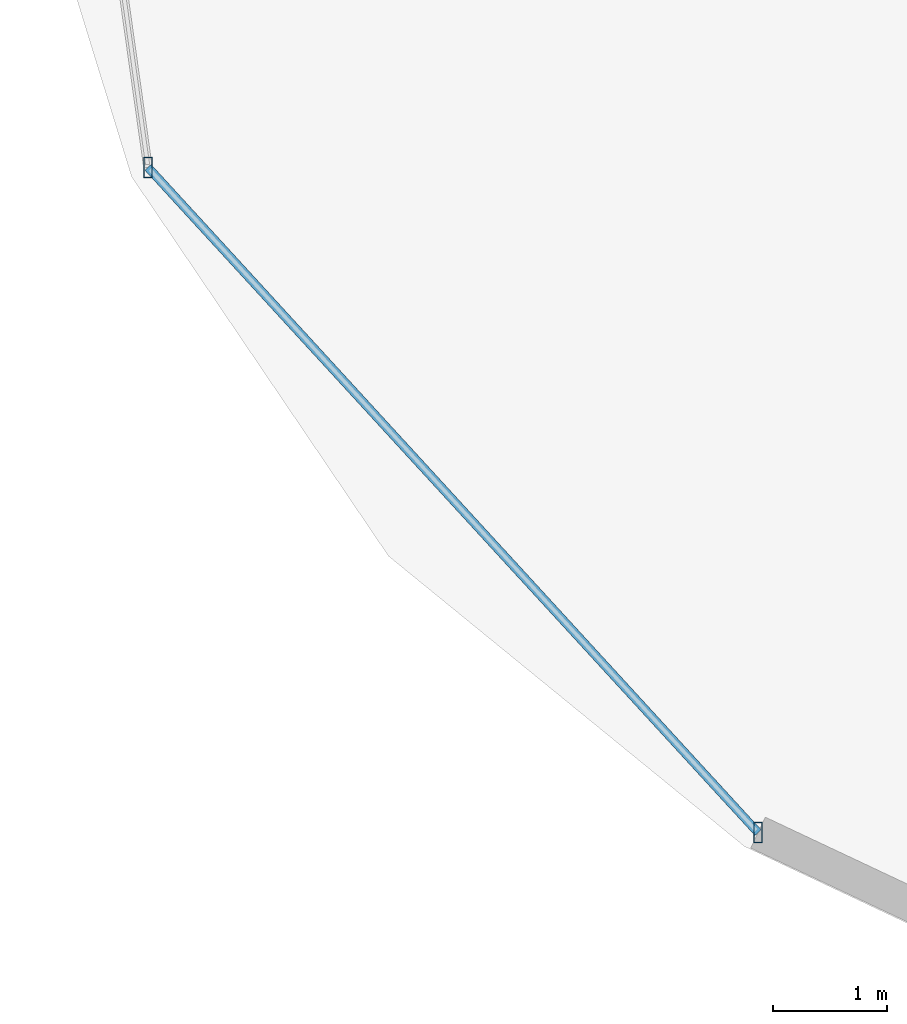
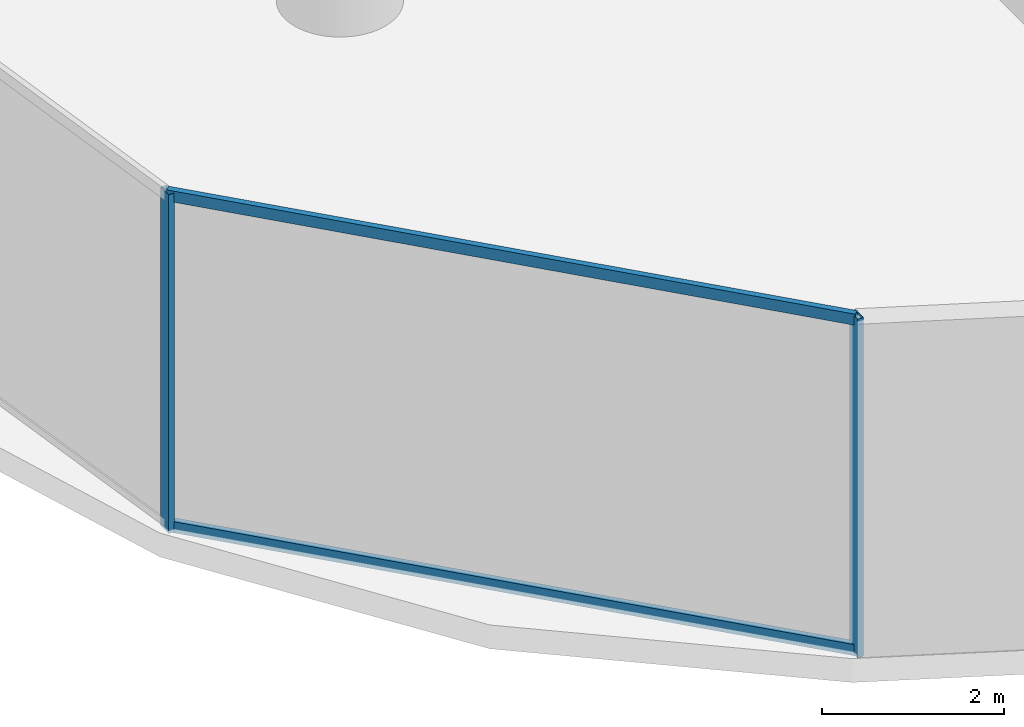
# One storey, part 2 of 26: 4 members, 1 element without a shape of its own.
"""IFC4 building model written with IfcOpenShell, lengths in metres."""

from ifc_helpers import new_model, si_unit, direction, frame, origin, origin_2d, place, context, subcontext, project, spatial, hollow_rectangle, extrude, material, material_profile, profile_set, type_object, element, aggregate, save


model = new_model("IFC4")

# Units and contexts
model_context = context("Model", 3, precision=1e-05, world=origin(), true_north=direction((0.0, 1.0)))
body_context = subcontext(model_context, "Body", "Model", "MODEL_VIEW")
ifc_project = project(units=[si_unit("LENGTHUNIT", "METRE"), si_unit("AREAUNIT", "SQUARE_METRE"), si_unit("VOLUMEUNIT", "CUBIC_METRE"), si_unit("PLANEANGLEUNIT", "RADIAN"), si_unit("MASSUNIT", "GRAM", prefix="KILO")], contexts=[model_context])

# Site, building, storey
site_placement = place(None, origin())
site = spatial("IfcSite", under=ifc_project, at=site_placement, CompositionType="ELEMENT")
building_placement = place(site_placement, origin())
building = spatial("IfcBuilding", under=site, at=building_placement, Name="Vorneva Point Tower", CompositionType="ELEMENT")
storey_placement = place(building_placement, frame((0.0, 0.0, 14.39990234375)))
storey = spatial("IfcBuildingStorey", under=building, at=storey_placement, Name="L03", CompositionType="ELEMENT", Elevation=14.39990234375)

# Curtain wall, members
ifc_material = material(Name="Pale anodised aluminium", Category="aluminium")
curtain_wall_type = type_object("IfcCurtainWallType", Name="CW-POD-SYS", PredefinedType="NOTDEFINED", material=ifc_material)
curtain_wall_placement = place(storey_placement, origin())
curtain_wall = element("IfcCurtainWall", 1, at=curtain_wall_placement, inside=storey, type_object=curtain_wall_type, Name="L03 Unitised Curtain Wall CW-L03-R03", PredefinedType="NOTDEFINED")
ifc_material_profile_1 = material_profile(ifc_material, hollow_rectangle(XDim=0.074951171875, YDim=0.179931640625, WallThickness=0.00390625, at=origin_2d()), Name="AL-MUL 180x75x4")
ifc_profile_set_1 = profile_set([ifc_material_profile_1], Name="Pale anodised aluminium")
member_type_1 = type_object("IfcMemberType", Name="CW-MUL-180", PredefinedType="MULLION", material=ifc_profile_set_1)
member_1_placement = place(storey_placement, frame((5.009765625, 13.0537109375, -0.039794921875), z_axis=(0.0, 0.0, 1.0), x_axis=(1.0, 0.0, 0.0)))
member_1 = element("IfcMember", 2, at=member_1_placement, type_object=member_type_1, Name="CW-L03-R03 Mullion 03", PredefinedType="MULLION", context=body_context, shape_type="SweptSolid", body=[
    extrude(hollow_rectangle(XDim=0.074951171875, YDim=0.179931640625, WallThickness=0.00390625, at=origin_2d()), origin(), (0.0, 0.0, 1.0), 4.5498046875),
])
member_2_placement = place(storey_placement, frame((10.380126953125, 7.197509765625, -0.039794921875), z_axis=(0.0, 0.0, 1.0), x_axis=(1.0, 0.0, 0.0)))
member_2 = element("IfcMember", 3, at=member_2_placement, type_object=member_type_1, Name="CW-L03-R03 Mullion 04", PredefinedType="MULLION", context=body_context, shape_type="SweptSolid", body=[
    extrude(hollow_rectangle(XDim=0.074951171875, YDim=0.179931640625, WallThickness=0.00390625, at=origin_2d()), origin(), (0.0, 0.0, 1.0), 4.5498046875),
])
ifc_material_profile_2 = material_profile(ifc_material, hollow_rectangle(XDim=0.074951171875, YDim=0.14990234375, WallThickness=0.00390625, at=origin_2d()), Name="AL-TRN 150x75x4")
ifc_profile_set_2 = profile_set([ifc_material_profile_2], Name="Pale anodised aluminium")
member_type_2 = type_object("IfcMemberType", Name="CW-TRN-150", PredefinedType="USERDEFINED", material=ifc_profile_set_2)
member_3_placement = place(storey_placement, frame((5.009765625, 13.0537109375, 0.02001953125), z_axis=(0.675873489508, -0.737017656627, 0.0), x_axis=(0.737017656627, 0.675873489508, 0.0)))
member_3 = element("IfcMember", 4, at=member_3_placement, type_object=member_type_2, Name="CW-L03-R03 Transom 03.1", ObjectType="TRANSOM", PredefinedType="USERDEFINED", context=body_context, shape_type="SweptSolid", body=[
    extrude(hollow_rectangle(XDim=0.074951171875, YDim=0.14990234375, WallThickness=0.00390625, at=origin_2d()), origin(), (0.0, 0.0, 1.0), 7.94580078125),
])
member_4_placement = place(storey_placement, frame((5.009765625, 13.0537109375, 4.460205078125), z_axis=(0.675873489508, -0.737017656627, 0.0), x_axis=(0.737017656627, 0.675873489508, 0.0)))
member_4 = element("IfcMember", 5, at=member_4_placement, type_object=member_type_2, Name="CW-L03-R03 Transom 03.2", ObjectType="TRANSOM", PredefinedType="USERDEFINED", context=body_context, shape_type="SweptSolid", body=[
    extrude(hollow_rectangle(XDim=0.074951171875, YDim=0.14990234375, WallThickness=0.00390625, at=origin_2d()), origin(), (0.0, 0.0, 1.0), 7.94580078125),
])
aggregate(curtain_wall, [member_1, member_2, member_3, member_4])

save(model, "model.ifc")
